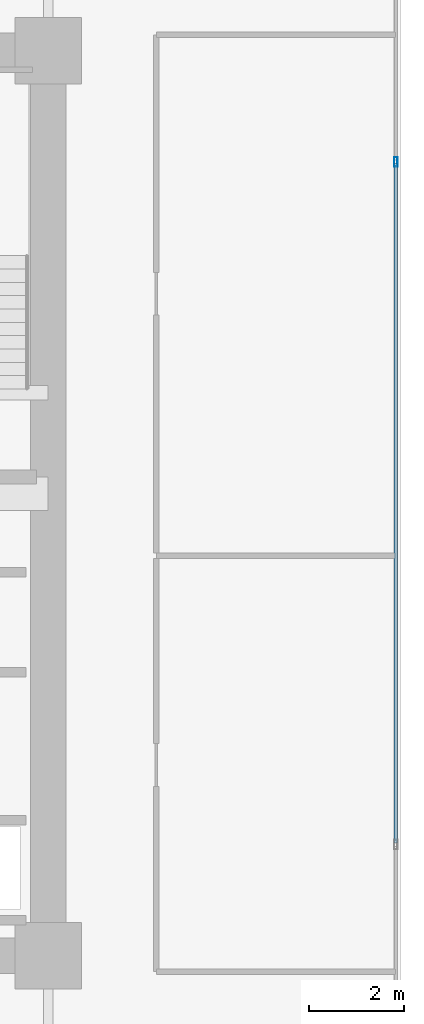
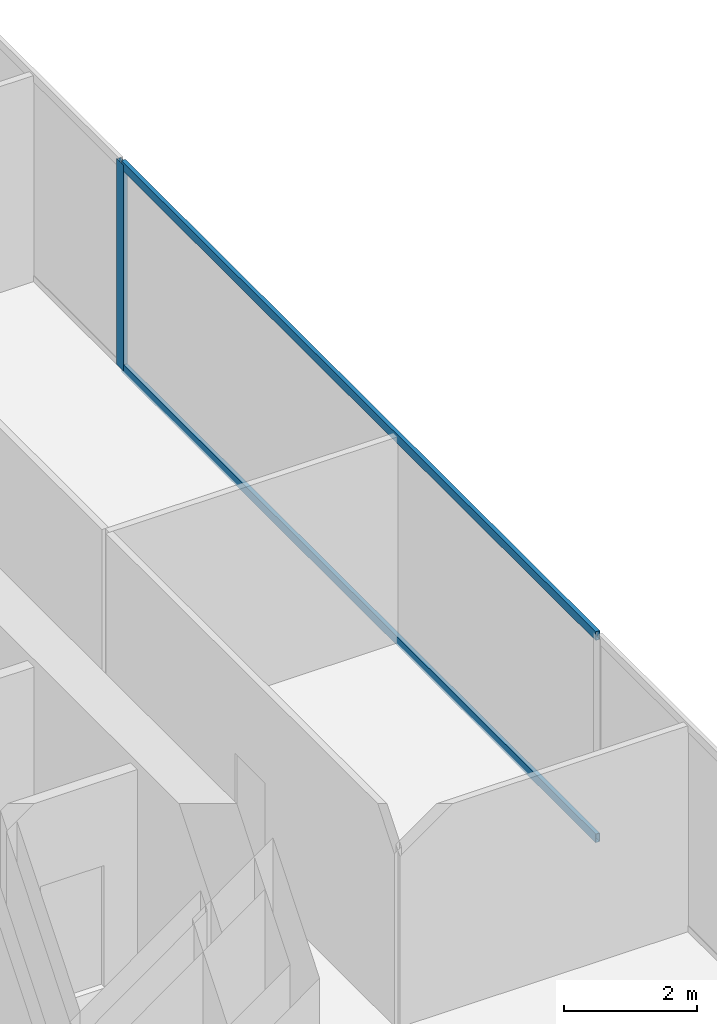
# One storey, part 25 of 35: 3 members, 1 element without a shape of its own.
"""IFC4 building model written with IfcOpenShell, lengths in metres."""

from ifc_helpers import new_model, si_unit, direction, frame, origin, origin_2d, place, context, subcontext, project, spatial, hollow_rectangle, extrude, source, transform, mapped, material, layer, layer_set, material_profile, profile_set, type_object, type_shapes, element, aggregate, save


model = new_model("IFC4")

# Units and contexts
model_context = context("Model", 3, precision=1e-05, world=origin(), true_north=direction((0.0, 1.0)))
body_context = subcontext(model_context, "Body", "Model", "MODEL_VIEW")
ifc_project = project(units=[si_unit("LENGTHUNIT", "METRE"), si_unit("AREAUNIT", "SQUARE_METRE"), si_unit("VOLUMEUNIT", "CUBIC_METRE"), si_unit("PLANEANGLEUNIT", "RADIAN"), si_unit("MASSUNIT", "GRAM", prefix="KILO")], contexts=[model_context])

# Site, building, storey
site_placement = place(None, origin())
site = spatial("IfcSite", under=ifc_project, at=site_placement, CompositionType="ELEMENT")
building_placement = place(site_placement, origin())
building = spatial("IfcBuilding", under=site, at=building_placement, Name="Haelvirn Gate Laboratories", CompositionType="ELEMENT")
storey_placement = place(building_placement, frame((0.0, 0.0, 37.5)))
storey = spatial("IfcBuildingStorey", under=building, at=storey_placement, Name="L09", CompositionType="ELEMENT", Elevation=37.5)

# Curtain wall, members
ifc_material_1 = material(Name="Anodised bronze unitised aluminium & triple low-E glass", Category="aluminium")
ifc_layer = layer(ifc_material_1, 0.18408203125, Name="CW-SYS-2")
ifc_layer_set = layer_set([ifc_layer], Name="Anodised bronze unitised aluminium & triple low-E glass")
curtain_wall_type = type_object("IfcCurtainWallType", Name="CW-SYS-2", PredefinedType="NOTDEFINED", material=ifc_layer_set)
curtain_wall_placement = place(storey_placement, origin())
curtain_wall = element("IfcCurtainWall", 1, at=curtain_wall_placement, inside=storey, type_object=curtain_wall_type, Name="L09 Unitised Curtain Wall CW-L09-P0-E07", PredefinedType="NOTDEFINED")
ifc_material_2 = material(Name="Extruded aluminium 6063-T6 (anodised bronze)", Category="aluminium")
ifc_material_profile_1 = material_profile(ifc_material_2, hollow_rectangle(XDim=0.074951171875, YDim=0.199951171875, WallThickness=0.0048828125, at=origin_2d()), Name="CWM-200x75x5")
ifc_profile_set_1 = profile_set([ifc_material_profile_1], Name="Extruded aluminium 6063-T6 (anodised bronze)")
member_type_1 = type_object("IfcMemberType", Name="CWM-T200", PredefinedType="MULLION", material=ifc_profile_set_1)
shared_shape_1 = source(origin(), body_context, "Body", "SweptSolid", [
    extrude(hollow_rectangle(XDim=0.074951171875, YDim=0.199951171875, WallThickness=0.0048828125, at=origin_2d()), origin(), (0.0, 0.0, 1.0), 3.780029296875),
])
type_shapes(member_type_1, [shared_shape_1])
member_1_placement = place(storey_placement, frame((74.699951171875, 31.466552734375, 0.0), z_axis=(0.0, 0.0, 1.0), x_axis=(-1.0, 0.0, 0.0)))
member_1 = element("IfcMember", 2, at=member_1_placement, type_object=member_type_1, Name="CW2 mullion 3", PredefinedType="MULLION", context=body_context, shape_type="MappedRepresentation", body=[
    mapped(shared_shape_1, transform((0.0, 0.0, 0.0), scale=1.0)),
])
ifc_material_profile_2 = material_profile(ifc_material_2, hollow_rectangle(XDim=0.070068359375, YDim=0.159912109375, WallThickness=0.0048828125, at=origin_2d()), Name="CWT-160x70x5")
ifc_profile_set_2 = profile_set([ifc_material_profile_2], Name="Extruded aluminium 6063-T6 (anodised bronze)")
member_type_2 = type_object("IfcMemberType", Name="CWT-T160", PredefinedType="USERDEFINED", material=ifc_profile_set_2)
shared_shape_2 = source(origin(), body_context, "Body", "SweptSolid", [
    extrude(hollow_rectangle(XDim=0.070068359375, YDim=0.159912109375, WallThickness=0.0048828125, at=origin_2d()), origin(), (0.0, 0.0, 1.0), 14.25830078125),
])
type_shapes(member_type_2, [shared_shape_2])
member_2_placement = place(storey_placement, frame((74.699951171875, 17.1708984375, 0.034912109375), z_axis=(0.0, 1.0, 0.0), x_axis=(-1.0, 0.0, 0.0)))
member_2 = element("IfcMember", 3, at=member_2_placement, type_object=member_type_2, Name="CW2 transom 2.1", ObjectType="TRANSOM", PredefinedType="USERDEFINED", context=body_context, shape_type="MappedRepresentation", body=[
    mapped(shared_shape_2, transform((0.0, 0.0, 0.0), scale=1.0)),
])
member_3_placement = place(storey_placement, frame((74.699951171875, 17.1708984375, 3.7451171875), z_axis=(0.0, 1.0, 0.0), x_axis=(-1.0, 0.0, 0.0)))
member_3 = element("IfcMember", 4, at=member_3_placement, type_object=member_type_2, Name="CW2 transom 2.2", ObjectType="TRANSOM", PredefinedType="USERDEFINED", context=body_context, shape_type="MappedRepresentation", body=[
    mapped(shared_shape_2, transform((0.0, 0.0, 0.0), scale=1.0)),
])
aggregate(curtain_wall, [member_1, member_2, member_3])

save(model, "model.ifc")
